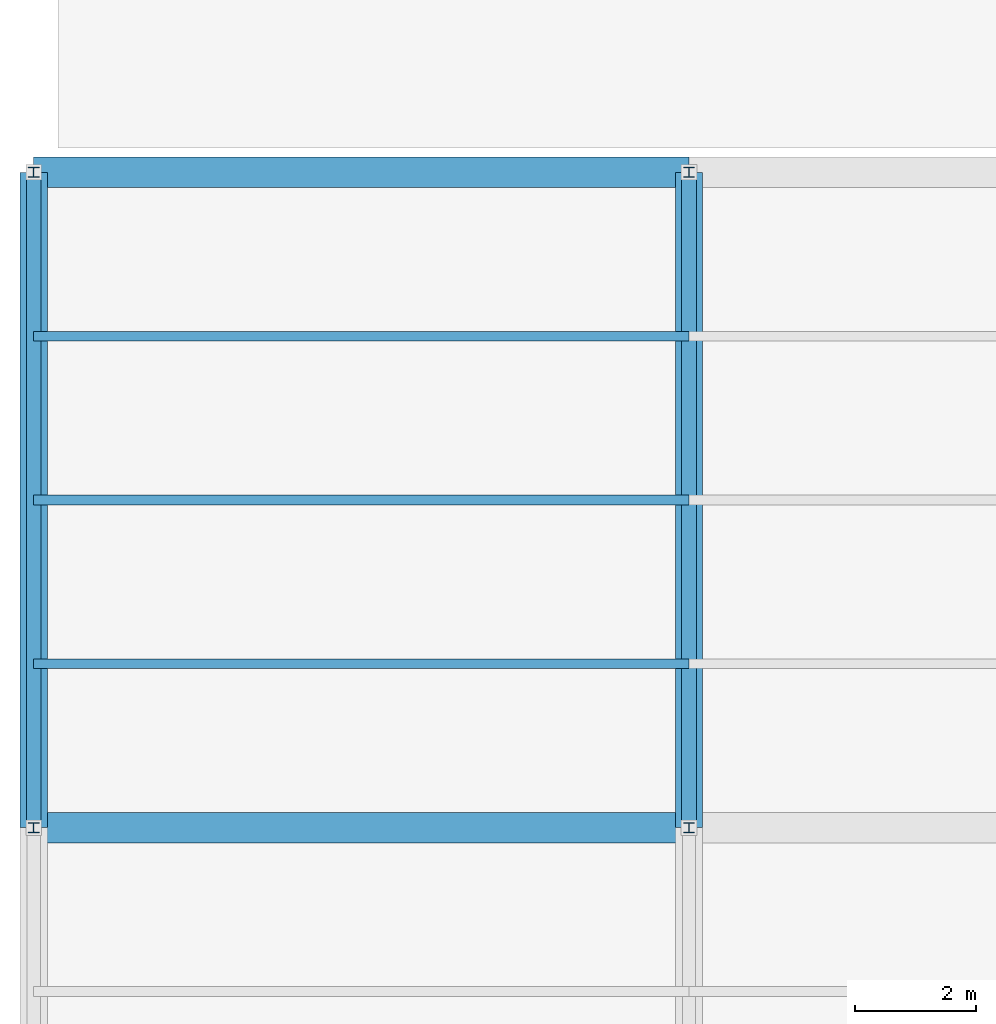
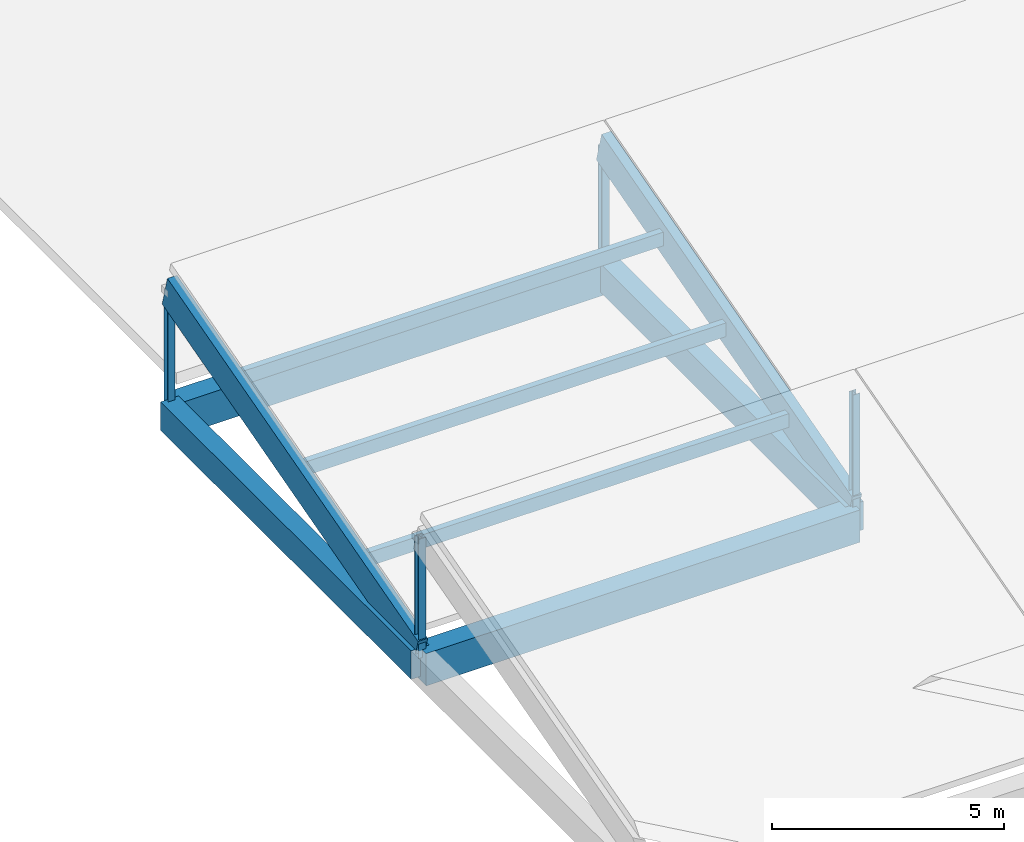
# One storey, part 31 of 112: 9 members, 4 beams.
"""IFC4 building model written with IfcOpenShell, lengths in metres."""

from ifc_helpers import new_model, si_unit, direction, frame, origin, origin_2d, place, context, subcontext, project, spatial, rectangle, i_section, extrude, material, material_profile, profile_set, type_object, element, save


model = new_model("IFC4")

# Units and contexts
model_context = context("Model", 3, precision=1e-05, world=origin(), true_north=direction((0.0, 1.0)))
body_context = subcontext(model_context, "Body", "Model", "MODEL_VIEW")
ifc_project = project(units=[si_unit("LENGTHUNIT", "METRE"), si_unit("AREAUNIT", "SQUARE_METRE"), si_unit("VOLUMEUNIT", "CUBIC_METRE"), si_unit("PLANEANGLEUNIT", "RADIAN"), si_unit("MASSUNIT", "GRAM", prefix="KILO")], contexts=[model_context])

# Site, building, storey
site_placement = place(None, origin())
site = spatial("IfcSite", under=ifc_project, at=site_placement, CompositionType="ELEMENT")
building_placement = place(site_placement, origin())
building = spatial("IfcBuilding", under=site, at=building_placement, Name="Zwinboog Wholesale Market", CompositionType="ELEMENT")
storey_placement = place(building_placement, frame((0.0, 0.0, 19.080078125)))
storey = spatial("IfcBuildingStorey", under=building, at=storey_placement, Name="Roof", CompositionType="ELEMENT", Elevation=19.080078125)

# Beams
ifc_material_1 = material(Name="Precast concrete C45/55", Category="concrete")
ifc_material_profile_1 = material_profile(ifc_material_1, rectangle(XDim=0.5, YDim=0.85009765625, at=origin_2d()), Name="PC 500x850")
ifc_profile_set_1 = profile_set([ifc_material_profile_1], Name="Precast concrete C45/55")
beam_type_1 = type_object("IfcBeamType", Name="BT-03", PredefinedType="BEAM", material=ifc_profile_set_1)
for number, where, z_axis, x_axis, name in (
    (1, (0.0, 97.199951171875, -9.425048828125), (1.0, 0.0, 0.0), (0.0, 1.0, 0.0), "BG-03 (BMG-Roof-0000-0972-1183)"),
    (2, (0.0, 108.0, -9.425048828125), (1.0, 0.0, 0.0), (0.0, 1.0, 0.0), "BG-03 (BMG-Roof-0000-1080-1187)"),
):
    element("IfcBeam", number, at=place(storey_placement, frame(where, z_axis=z_axis, x_axis=x_axis)), inside=storey, type_object=beam_type_1, Name=name, PredefinedType="BEAM", context=body_context, shape_type="SweptSolid", body=[
        extrude(rectangle(XDim=0.5, YDim=0.85009765625, at=origin_2d()), origin(), (0.0, 0.0, 1.0), 10.800048828125),
    ])
ifc_material_profile_2 = material_profile(ifc_material_1, rectangle(XDim=0.449951171875, YDim=0.75, at=origin_2d()), Name="PC 450x750")
ifc_profile_set_2 = profile_set([ifc_material_profile_2], Name="Precast concrete C45/55")
beam_type_2 = type_object("IfcBeamType", Name="BT-04", PredefinedType="BEAM", material=ifc_profile_set_2)
for number, where, z_axis, x_axis, name in (
    (3, (0.0, 97.199951171875, -9.375), (0.0, 1.0, 0.0), (-1.0, 0.0, 0.0), "BG-04 (BMG-Roof-0000-0972-1210)"),
    (4, (10.800048828125, 97.199951171875, -9.375), (0.0, 1.0, 0.0), (-1.0, 0.0, 0.0), "BG-04 (BMG-Roof-0108-0972-1220)"),
):
    element("IfcBeam", number, at=place(storey_placement, frame(where, z_axis=z_axis, x_axis=x_axis)), inside=storey, type_object=beam_type_2, Name=name, PredefinedType="BEAM", context=body_context, shape_type="SweptSolid", body=[
        extrude(rectangle(XDim=0.449951171875, YDim=0.75, at=origin_2d()), origin(), (0.0, 0.0, 1.0), 10.800048828125),
    ])

# Members
ifc_material_2 = material(Name="Steel S355", Category="steel")
ifc_material_profile_3 = material_profile(ifc_material_2, i_section(OverallWidth=0.179931640625, OverallDepth=0.1708984375, WebThickness=0.006103515625, FlangeThickness=0.009521484375, FilletRadius=0.014892578125, at=origin_2d()), Name="HEA 180")
ifc_profile_set_3 = profile_set([ifc_material_profile_3], Name="Steel S355")
member_type_1 = type_object("IfcMemberType", Name="MT-07", PredefinedType="BRACE", material=ifc_profile_set_3)
member_1_placement = place(storey_placement, frame((0.0, 97.199951171875, -9.2001953125), z_axis=(0.0, 0.0, 1.0), x_axis=(1.0, 0.0, 0.0)))
element("IfcMember", 5, at=member_1_placement, inside=storey, type_object=member_type_1, Name="DB-04 (MEM-Roof-0810)", PredefinedType="BRACE", context=body_context, shape_type="SweptSolid", body=[
    extrude(i_section(OverallWidth=0.179931640625, OverallDepth=0.1708984375, WebThickness=0.006103515625, FlangeThickness=0.009521484375, FilletRadius=0.014892578125, at=origin_2d()), origin(), (0.0, 0.0, 1.0), 3.134521484375),
])
member_2_placement = place(storey_placement, frame((10.800048828125, 97.199951171875, -9.2001953125), z_axis=(0.0, 0.0, 1.0), x_axis=(1.0, 0.0, 0.0)))
element("IfcMember", 6, at=member_2_placement, inside=storey, type_object=member_type_1, Name="DB-04 (MEM-Roof-0814)", PredefinedType="BRACE", context=body_context, shape_type="SweptSolid", body=[
    extrude(i_section(OverallWidth=0.179931640625, OverallDepth=0.1708984375, WebThickness=0.006103515625, FlangeThickness=0.009521484375, FilletRadius=0.014892578125, at=origin_2d()), origin(), (0.0, 0.0, 1.0), 3.14697265625),
])
member_3_placement = place(storey_placement, frame((0.0, 108.0, -9.2001953125), z_axis=(0.0, 0.0, 1.0), x_axis=(1.0, 0.0, 0.0)))
element("IfcMember", 7, at=member_3_placement, inside=storey, type_object=member_type_1, Name="DB-04 (MEM-Roof-0828)", PredefinedType="BRACE", context=body_context, shape_type="SweptSolid", body=[
    extrude(i_section(OverallWidth=0.179931640625, OverallDepth=0.1708984375, WebThickness=0.006103515625, FlangeThickness=0.009521484375, FilletRadius=0.014892578125, at=origin_2d()), origin(), (0.0, 0.0, 1.0), 3.074462890625),
])
member_4_placement = place(storey_placement, frame((10.800048828125, 108.0, -9.2001953125), z_axis=(0.0, 0.0, 1.0), x_axis=(1.0, 0.0, 0.0)))
element("IfcMember", 8, at=member_4_placement, inside=storey, type_object=member_type_1, Name="DB-04 (MEM-Roof-0832)", PredefinedType="BRACE", context=body_context, shape_type="SweptSolid", body=[
    extrude(i_section(OverallWidth=0.179931640625, OverallDepth=0.1708984375, WebThickness=0.006103515625, FlangeThickness=0.009521484375, FilletRadius=0.014892578125, at=origin_2d()), origin(), (0.0, 0.0, 1.0), 3.0869140625),
])
ifc_material_3 = material(Name="Glulam GL28h", Category="wood")
ifc_material_profile_4 = material_profile(ifc_material_3, rectangle(XDim=0.239990234375, YDim=0.840087890625, at=origin_2d()), Name="GL28h 240x840")
ifc_profile_set_4 = profile_set([ifc_material_profile_4], Name="Glulam GL28h")
member_type_2 = type_object("IfcMemberType", Name="MT-09", PredefinedType="RAFTER", material=ifc_profile_set_4)
for number, where, z_axis, x_axis, name in (
    (9, (0.0, 97.199951171875, -9.125732421875), (0.0, 0.963518221675, 0.26764274042), (-1.0, 0.0, 0.0), "GR-01 (MEM-Roof-0829)"),
    (10, (10.800048828125, 97.199951171875, -9.11328125), (0.0, 0.963518221675, 0.26764274042), (-1.0, 0.0, 0.0), "GR-01 (MEM-Roof-0833)"),
):
    element("IfcMember", number, at=place(storey_placement, frame(where, z_axis=z_axis, x_axis=x_axis)), inside=storey, type_object=member_type_2, Name=name, PredefinedType="RAFTER", context=body_context, shape_type="SweptSolid", body=[
        extrude(rectangle(XDim=0.239990234375, YDim=0.840087890625, at=origin_2d()), origin(), (0.0, 0.0, 1.0), 11.208984375),
    ])
ifc_material_profile_5 = material_profile(ifc_material_3, rectangle(XDim=0.159912109375, YDim=0.360107421875, at=origin_2d()), Name="GL28h 160x360")
ifc_profile_set_5 = profile_set([ifc_material_profile_5], Name="Glulam GL28h")
member_type_3 = type_object("IfcMemberType", Name="MT-12", PredefinedType="PURLIN", material=ifc_profile_set_5)
for number, where, z_axis, x_axis, name in (
    (11, (0.0, 99.89990234375, -8.345703125), (1.0, 0.0, 0.0), (0.0, 1.0, 0.0), "GP-01 (MEM-Roof-0830)"),
    (12, (0.0, 105.300048828125, -6.845703125), (1.0, 0.0, 0.0), (0.0, 1.0, 0.0), "GP-01 (MEM-Roof-0831)"),
    (13, (0.0, 102.60009765625, -7.595703125), (1.0, 0.0, 0.0), (0.0, 1.0, 0.0), "GP-01 (MEM-PRL-Roof-0037)"),
):
    element("IfcMember", number, at=place(storey_placement, frame(where, z_axis=z_axis, x_axis=x_axis)), inside=storey, type_object=member_type_3, Name=name, PredefinedType="PURLIN", context=body_context, shape_type="SweptSolid", body=[
        extrude(rectangle(XDim=0.159912109375, YDim=0.360107421875, at=origin_2d()), origin(), (0.0, 0.0, 1.0), 10.800048828125),
    ])

save(model, "model.ifc")
